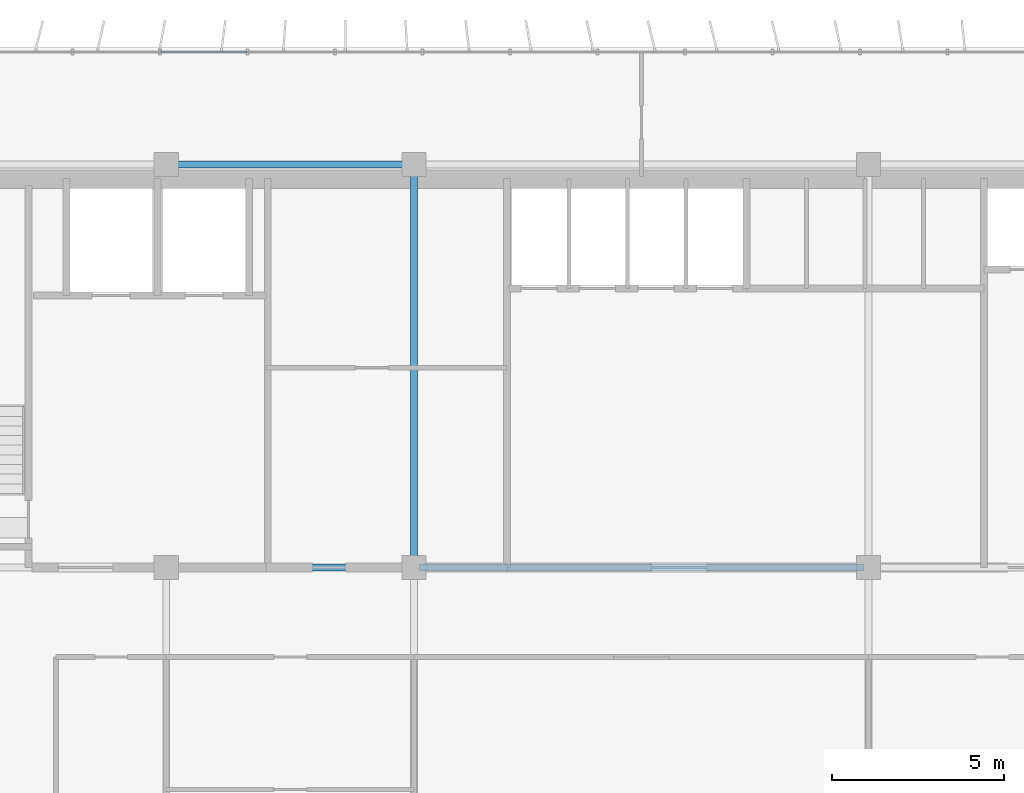
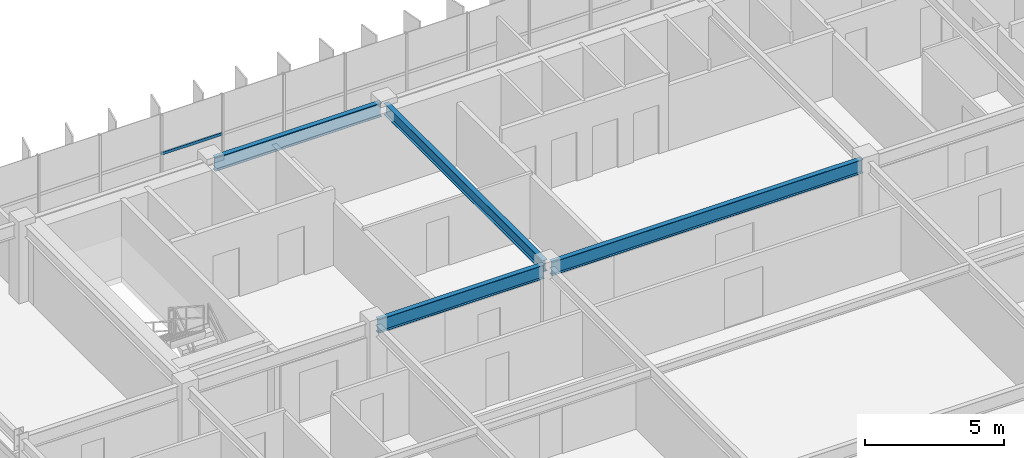
# One storey, part 5 of 20: 4 beams, 1 member, 1 element without a shape of its own.
"""IFC4 building model written with IfcOpenShell, lengths in metres."""

from ifc_helpers import new_model, si_unit, direction, frame, origin, origin_2d, place, context, subcontext, project, spatial, hollow_rectangle, i_section, extrude, source, transform, mapped, material, material_profile, profile_set, type_object, element, aggregate, save


model = new_model("IFC4")

# Units and contexts
model_context = context("Model", 3, precision=1e-05, world=origin(), true_north=direction((0.0, 1.0)))
body_context = subcontext(model_context, "Body", "Model", "MODEL_VIEW")
ifc_project = project(units=[si_unit("LENGTHUNIT", "METRE"), si_unit("AREAUNIT", "SQUARE_METRE"), si_unit("VOLUMEUNIT", "CUBIC_METRE"), si_unit("PLANEANGLEUNIT", "RADIAN"), si_unit("MASSUNIT", "GRAM", prefix="KILO")], contexts=[model_context])

# Site, building, storey
site_placement = place(None, origin())
site = spatial("IfcSite", under=ifc_project, at=site_placement, CompositionType="ELEMENT")
building_placement = place(site_placement, origin())
building = spatial("IfcBuilding", under=site, at=building_placement, Name="Trelvane Seafront Commons", CompositionType="ELEMENT")
storey_placement = place(building_placement, frame((0.0, 0.0, 150.10009765625)))
storey = spatial("IfcBuildingStorey", under=building, at=storey_placement, Name="L39", CompositionType="ELEMENT", Elevation=150.10009765625)

# Beams
ifc_material_1 = material(Name="Steel SM355 (S355)", Category="steel")
ifc_material_profile_1 = material_profile(ifc_material_1, i_section(OverallWidth=0.199951171875, OverallDepth=0.5, WebThickness=0.010009765625, FlangeThickness=0.01611328125, at=origin_2d()), Name="H-500x200x10x16")
ifc_profile_set_1 = profile_set([ifc_material_profile_1], Name="Steel SM355 (S355)")
beam_type_1 = type_object("IfcBeamType", Name="STR-BM-H500", PredefinedType="BEAM", material=ifc_profile_set_1)
shared_shape_1 = source(origin(), body_context, "Body", "SweptSolid", [
    extrude(i_section(OverallWidth=0.199951171875, OverallDepth=0.5, WebThickness=0.010009765625, FlangeThickness=0.01611328125, at=origin_2d()), origin(), (0.0, 0.0, 1.0), 11.39990234375),
])
beam_1_placement = place(storey_placement, frame((30.60009765625, 33.550048828125, 3.099853515625), z_axis=(0.0, 1.0, 0.0), x_axis=(-1.0, 0.0, 0.0)))
element("IfcBeam", 1, at=beam_1_placement, inside=storey, type_object=beam_type_1, Name="L39 Primary Girder G-40", PredefinedType="BEAM", context=body_context, shape_type="MappedRepresentation", body=[
    mapped(shared_shape_1, transform((0.0, 0.0, 0.0), x_axis=(1.0, 0.0, 0.0), y_axis=(0.0, 1.0, 0.0), z_axis=(0.0, 0.0, 1.0), scale=1.0)),
])
ifc_material_profile_2 = material_profile(ifc_material_1, i_section(OverallWidth=0.199951171875, OverallDepth=0.60009765625, WebThickness=0.010986328125, FlangeThickness=0.01708984375, at=origin_2d()), Name="H-600x200x11x17")
ifc_profile_set_2 = profile_set([ifc_material_profile_2], Name="Steel SM355 (S355)")
beam_type_2 = type_object("IfcBeamType", Name="STR-SPD-H600", PredefinedType="SPANDREL", material=ifc_profile_set_2)
shared_shape_2 = source(origin(), body_context, "Body", "SweptSolid", [
    extrude(i_section(OverallWidth=0.199951171875, OverallDepth=0.60009765625, WebThickness=0.010986328125, FlangeThickness=0.01708984375, at=origin_2d()), origin(), (0.0, 0.0, 1.0), 12.89990234375),
])
beam_2_placement = place(storey_placement, frame((30.75, 33.39990234375, 3.0498046875), z_axis=(1.0, 0.0, 0.0), x_axis=(0.0, 1.0, 0.0)))
element("IfcBeam", 2, at=beam_2_placement, inside=storey, type_object=beam_type_2, Name="L39 Primary Girder G-18", PredefinedType="SPANDREL", context=body_context, shape_type="MappedRepresentation", body=[
    mapped(shared_shape_2, transform((0.0, 0.0, 0.0), x_axis=(1.0, 0.0, 0.0), y_axis=(0.0, 1.0, 0.0), z_axis=(0.0, 0.0, 1.0), scale=1.0)),
])
shared_shape_3 = source(origin(), body_context, "Body", "SweptSolid", [
    extrude(i_section(OverallWidth=0.199951171875, OverallDepth=0.60009765625, WebThickness=0.010986328125, FlangeThickness=0.01708984375, at=origin_2d()), origin(), (0.0, 0.0, 1.0), 6.89990234375),
])
for number, where, z_axis, x_axis, name in (
    (3, (23.550048828125, 33.39990234375, 3.0498046875), (1.0, 0.0, 0.0), (0.0, 1.0, 0.0), "L39 Primary Girder G-17"),
    (4, (23.550048828125, 45.10009765625, 3.0498046875), (1.0, 0.0, 0.0), (0.0, 1.0, 0.0), "L39 Primary Girder G-24"),
):
    element("IfcBeam", number, at=place(storey_placement, frame(where, z_axis=z_axis, x_axis=x_axis)), inside=storey, type_object=beam_type_2, Name=name, PredefinedType="SPANDREL", context=body_context, shape_type="MappedRepresentation", body=[
        mapped(shared_shape_3, transform((0.0, 0.0, 0.0), x_axis=(1.0, 0.0, 0.0), y_axis=(0.0, 1.0, 0.0), z_axis=(0.0, 0.0, 1.0), scale=1.0)),
    ])

# Curtain wall, member
ifc_material_2 = material(Name="Anodised pale-silver aluminium", Category="aluminium")
curtain_wall_type = type_object("IfcCurtainWallType", Name="ARCH-CW5-UPTOWER", PredefinedType="NOTDEFINED", material=ifc_material_2)
curtain_wall_placement = place(storey_placement, origin())
curtain_wall = element("IfcCurtainWall", 5, at=curtain_wall_placement, inside=storey, type_object=curtain_wall_type, Name="CW-L39-0066", PredefinedType="NOTDEFINED")
ifc_material_profile_3 = material_profile(ifc_material_2, hollow_rectangle(XDim=0.070068359375, YDim=0.1201171875, WallThickness=0.00390625, at=origin_2d()), Name="TRAN-70x120x4")
ifc_profile_set_3 = profile_set([ifc_material_profile_3], Name="Anodised pale-silver aluminium")
member_type = type_object("IfcMemberType", Name="ARCH-CW-TRAN-120", PredefinedType="USERDEFINED", material=ifc_profile_set_3)
shared_shape_4 = source(origin(), body_context, "Body", "SweptSolid", [
    extrude(hollow_rectangle(XDim=0.070068359375, YDim=0.1201171875, WallThickness=0.00390625, at=origin_2d()), origin(), (0.0, 0.0, 1.0), 2.51708984375),
])
member_placement = place(storey_placement, frame((23.235595703125, 48.3701171875, 1.60791015625), z_axis=(1.0, 0.0, 0.0), x_axis=(0.0, 1.0, 0.0)))
member = element("IfcMember", 6, at=member_placement, type_object=member_type, Name="CW-L39-0066-T03", ObjectType="TRANSOM", PredefinedType="USERDEFINED", context=body_context, shape_type="MappedRepresentation", body=[
    mapped(shared_shape_4, transform((0.0, 0.0, 0.0), x_axis=(1.0, 0.0, 0.0), y_axis=(0.0, 1.0, 0.0), z_axis=(0.0, 0.0, 1.0), scale=1.0)),
])
aggregate(curtain_wall, [member])

save(model, "model.ifc")
